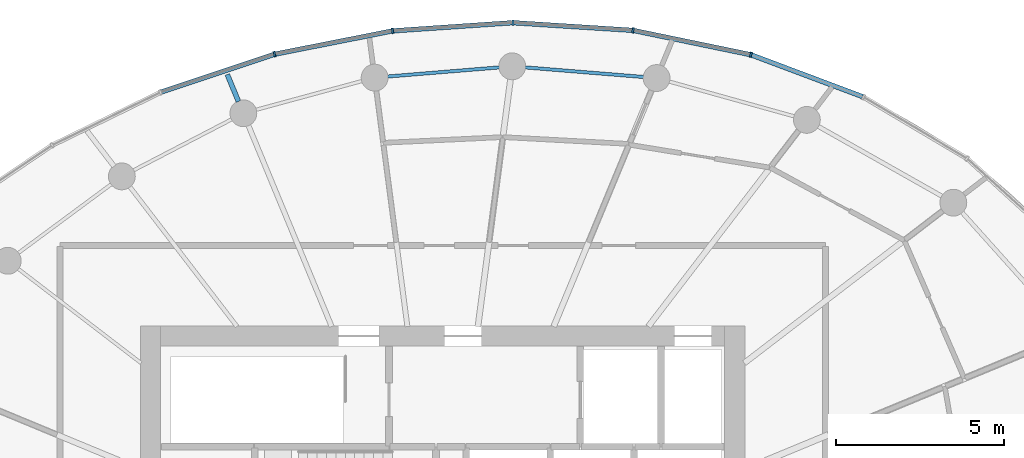
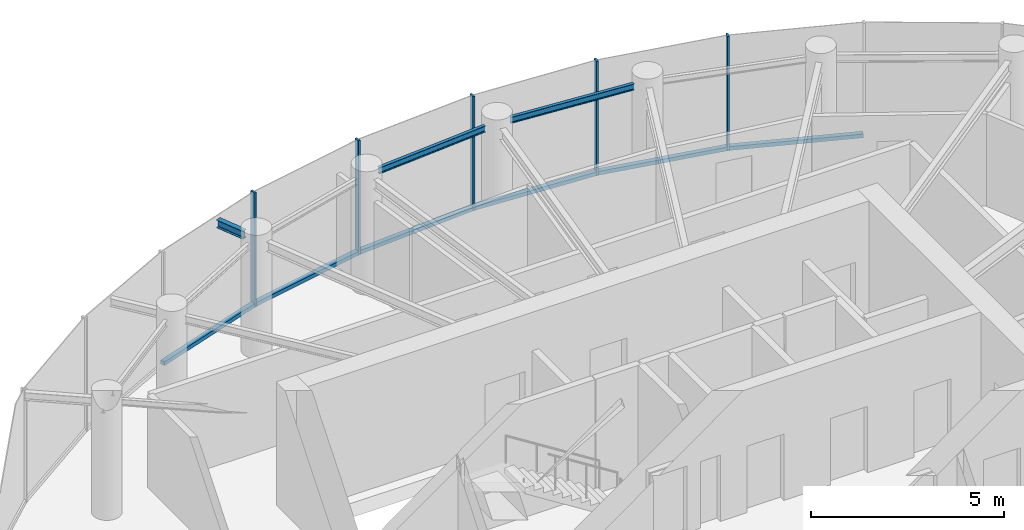
# One storey, part 6 of 13: 11 members, 3 beams, 2 elements without a shape of their own.
"""IFC4 building model written with IfcOpenShell, lengths in metres."""

from ifc_helpers import new_model, si_unit, direction, frame, origin, origin_2d, place, context, subcontext, project, spatial, rectangle, i_section, extrude, source, transform, mapped, material, layer, layer_set, material_profile, profile_set, type_object, element, aggregate, save


model = new_model("IFC4")

# Units and contexts
model_context = context("Model", 3, precision=1e-05, world=origin(), true_north=direction((0.0, 1.0)))
body_context = subcontext(model_context, "Body", "Model", "MODEL_VIEW")
ifc_project = project(units=[si_unit("LENGTHUNIT", "METRE"), si_unit("AREAUNIT", "SQUARE_METRE"), si_unit("VOLUMEUNIT", "CUBIC_METRE"), si_unit("PLANEANGLEUNIT", "RADIAN"), si_unit("MASSUNIT", "GRAM", prefix="KILO")], contexts=[model_context])

# Site, building, storey
site_placement = place(None, origin())
site = spatial("IfcSite", under=ifc_project, at=site_placement, CompositionType="ELEMENT")
building_placement = place(site_placement, origin())
building = spatial("IfcBuilding", under=site, at=building_placement, Name="Spindrift Exchange Tower", CompositionType="ELEMENT")
storey_placement = place(building_placement, frame((0.0, 0.0, 265.699951171875)))
storey = spatial("IfcBuildingStorey", under=building, at=storey_placement, Name="L65", CompositionType="ELEMENT", Elevation=265.699951171875)

# Beams
ifc_material_1 = material(Name="Steel Grade 300", Category="steel")
ifc_material_profile_1 = material_profile(ifc_material_1, i_section(OverallWidth=0.14599609375, OverallDepth=0.251953125, WebThickness=0.006103515625, FlangeThickness=0.008544921875, FilletRadius=0.011962890625, at=origin_2d()), Name="250UB31.4")
ifc_profile_set_1 = profile_set([ifc_material_profile_1], Name="Steel Grade 300")
beam_type_1 = type_object("IfcBeamType", Name="Cantilever Beam 250UB31.4 Steel Grade 300", PredefinedType="BEAM", material=ifc_profile_set_1)
shared_shape_1 = source(origin(), body_context, "Body", "SweptSolid", [
    extrude(i_section(OverallWidth=0.14599609375, OverallDepth=0.251953125, WebThickness=0.006103515625, FlangeThickness=0.008544921875, FilletRadius=0.011962890625, at=origin_2d()), origin(), (0.0, 0.0, 1.0), 0.86962890625),
])
beam_1_placement = place(storey_placement, frame((45.917236328125, 62.68505859375, 3.494140625), z_axis=(-0.382641058729, 0.923897083108, 0.0), x_axis=(-0.923897083108, -0.382641058729, 0.0)))
element("IfcBeam", 1, at=beam_1_placement, inside=storey, type_object=beam_type_1, Name="L65 cantilever beam R08T", PredefinedType="BEAM", context=body_context, shape_type="MappedRepresentation", body=[
    mapped(shared_shape_1, transform((0.0, 0.0, 0.0), scale=1.0)),
])
ifc_material_profile_2 = material_profile(ifc_material_1, i_section(OverallWidth=0.09912109375, OverallDepth=0.197998046875, WebThickness=0.00439453125, FlangeThickness=0.007080078125, FilletRadius=0.010986328125, at=origin_2d()), Name="200UB18.2")
ifc_profile_set_2 = profile_set([ifc_material_profile_2], Name="Steel Grade 300")
beam_type_2 = type_object("IfcBeamType", Name="Edge Beam 200UB18.2 Steel Grade 300", PredefinedType="SPANDREL", material=ifc_profile_set_2)
shared_shape_2 = source(origin(), body_context, "Body", "SweptSolid", [
    extrude(i_section(OverallWidth=0.09912109375, OverallDepth=0.197998046875, WebThickness=0.00439453125, FlangeThickness=0.007080078125, FilletRadius=0.010986328125, at=origin_2d()), origin(), (0.0, 0.0, 1.0), 3.5546875),
])
beam_2_placement = place(storey_placement, frame((57.992919921875, 63.413330078125, 3.52099609375), z_axis=(-0.996727103969, 0.080839842983, 0.0), x_axis=(-0.080839842983, -0.996727103969, 0.0)))
element("IfcBeam", 2, at=beam_2_placement, inside=storey, type_object=beam_type_2, Name="L65 edge beam E05", PredefinedType="SPANDREL", context=body_context, shape_type="MappedRepresentation", body=[
    mapped(shared_shape_2, transform((0.0, 0.0, 0.0), scale=1.0)),
])
shared_shape_3 = source(origin(), body_context, "Body", "SweptSolid", [
    extrude(i_section(OverallWidth=0.09912109375, OverallDepth=0.197998046875, WebThickness=0.00439453125, FlangeThickness=0.007080078125, FilletRadius=0.010986328125, at=origin_2d()), origin(), (0.0, 0.0, 1.0), 3.351806640625),
])
beam_3_placement = place(storey_placement, frame((53.6923828125, 63.7001953125, 3.52099609375), z_axis=(-0.996672670999, -0.081508201334, 0.0), x_axis=(0.081508201334, -0.996672670999, 0.0)))
element("IfcBeam", 3, at=beam_3_placement, inside=storey, type_object=beam_type_2, Name="L65 edge beam E06", PredefinedType="SPANDREL", context=body_context, shape_type="MappedRepresentation", body=[
    mapped(shared_shape_3, transform((0.0, 0.0, 0.0), scale=1.0)),
])

# Curtain wall, members
ifc_material_2 = material(Name="Fritted laminated glass with bronze frame", Category="glass")
ifc_layer = layer(ifc_material_2, 0.159912109375)
ifc_layer_set = layer_set([ifc_layer], Name="ZONE 5 BRONZE FRITTED WALL")
curtain_wall_type = type_object("IfcCurtainWallType", Name="ZONE 5 BRONZE FRITTED WALL", PredefinedType="NOTDEFINED", material=ifc_layer_set)
curtain_wall_1_placement = place(storey_placement, origin())
curtain_wall_1 = element("IfcCurtainWall", 4, at=curtain_wall_1_placement, inside=storey, type_object=curtain_wall_type, Name="L65 Zone 5 Bronze Fritted Wall run 2", PredefinedType="NOTDEFINED")
ifc_material_3 = material(Name="Bronze anodised aluminium", Category="aluminium")
ifc_material_profile_3 = material_profile(ifc_material_3, rectangle(XDim=0.139892578125, YDim=0.1201171875, at=origin_2d()), Name="ZONE 5 BRONZE FRITTED WALL TRANSOM 140X120")
ifc_profile_set_3 = profile_set([ifc_material_profile_3], Name="Bronze anodised aluminium")
member_type_1 = type_object("IfcMemberType", Name="ZONE 5 BRONZE FRITTED WALL TRANSOM 140X120", PredefinedType="USERDEFINED", material=ifc_profile_set_3)
shared_shape_4 = source(origin(), body_context, "Body", "SweptSolid", [
    extrude(rectangle(XDim=0.139892578125, YDim=0.1201171875, at=origin_2d()), origin(), (0.0, 0.0, 1.0), 3.52587890625),
])
member_1_placement = place(storey_placement, frame((57.637939453125, 64.805419921875, 0.06005859375), z_axis=(-0.997977783354, 0.063563699793, 0.0), x_axis=(-0.063563699793, -0.997977783354, 0.0)))
member_1 = element("IfcMember", 5, at=member_1_placement, type_object=member_type_1, Name="L65 transom CW-5.7", ObjectType="TRANSOM", PredefinedType="USERDEFINED", context=body_context, shape_type="MappedRepresentation", body=[
    mapped(shared_shape_4, transform((0.0, 0.0, 0.0), scale=1.0)),
])
shared_shape_5 = source(origin(), body_context, "Body", "SweptSolid", [
    extrude(rectangle(XDim=0.139892578125, YDim=0.1201171875, at=origin_2d()), origin(), (0.0, 0.0, 1.0), 3.5263671875),
])
member_2_placement = place(storey_placement, frame((50.481689453125, 64.7822265625, 0.06005859375), z_axis=(-0.9810439047, -0.193785595572, 0.0), x_axis=(0.193785595572, -0.9810439047, 0.0)))
member_2 = element("IfcMember", 6, at=member_2_placement, type_object=member_type_1, Name="L65 transom CW-5.9", ObjectType="TRANSOM", PredefinedType="USERDEFINED", context=body_context, shape_type="MappedRepresentation", body=[
    mapped(shared_shape_5, transform((0.0, 0.0, 0.0), scale=1.0)),
])
shared_shape_6 = source(origin(), body_context, "Body", "SweptSolid", [
    extrude(rectangle(XDim=0.139892578125, YDim=0.1201171875, at=origin_2d()), origin(), (0.0, 0.0, 1.0), 3.526123046875),
])
member_3_placement = place(storey_placement, frame((54.05908203125, 65.029296875, 0.06005859375), z_axis=(-0.997695424842, -0.067851597248, 0.0), x_axis=(0.067851597248, -0.997695424842, 0.0)))
member_3 = element("IfcMember", 7, at=member_3_placement, type_object=member_type_1, Name="L65 transom CW-5.8", ObjectType="TRANSOM", PredefinedType="USERDEFINED", context=body_context, shape_type="MappedRepresentation", body=[
    mapped(shared_shape_6, transform((0.0, 0.0, 0.0), scale=1.0)),
])
member_4_placement = place(storey_placement, frame((46.96435546875, 64.08349609375, 0.06005859375), z_axis=(-0.948530869173, -0.31668468581, 0.0), x_axis=(0.31668468581, -0.948530869173, 0.0)))
member_4 = element("IfcMember", 8, at=member_4_placement, type_object=member_type_1, Name="L65 transom CW-5.10", ObjectType="TRANSOM", PredefinedType="USERDEFINED", context=body_context, shape_type="MappedRepresentation", body=[
    mapped(shared_shape_6, transform((0.0, 0.0, 0.0), scale=1.0)),
])

curtain_wall_2_placement = place(storey_placement, origin())
curtain_wall_2 = element("IfcCurtainWall", 9, at=curtain_wall_2_placement, inside=storey, type_object=curtain_wall_type, Name="L65 Zone 5 Bronze Fritted Wall run 1", PredefinedType="NOTDEFINED")
shared_shape_7 = source(origin(), body_context, "Body", "SweptSolid", [
    extrude(rectangle(XDim=0.139892578125, YDim=0.1201171875, at=origin_2d()), origin(), (0.0, 0.0, 1.0), 3.525634765625),
])
member_5_placement = place(storey_placement, frame((61.149658203125, 64.083251953125, 0.06005859375), z_axis=(-0.979256629171, 0.202623923128, 0.0), x_axis=(-0.202623923128, -0.979256629171, 0.0)))
member_5 = element("IfcMember", 10, at=member_5_placement, type_object=member_type_1, Name="L65 transom CW-5.6", ObjectType="TRANSOM", PredefinedType="USERDEFINED", context=body_context, shape_type="MappedRepresentation", body=[
    mapped(shared_shape_7, transform((0.0, 0.0, 0.0), scale=1.0)),
])
shared_shape_8 = source(origin(), body_context, "Body", "SweptSolid", [
    extrude(rectangle(XDim=0.139892578125, YDim=0.1201171875, at=origin_2d()), origin(), (0.0, 0.0, 1.0), 3.52490234375),
])
member_6_placement = place(storey_placement, frame((64.507080078125, 62.828125, 0.06005859375), z_axis=(-0.936235211324, 0.351373916331, 0.0), x_axis=(-0.351373916331, -0.936235211324, 0.0)))
member_6 = element("IfcMember", 11, at=member_6_placement, type_object=member_type_1, Name="L65 transom CW-5.5", ObjectType="TRANSOM", PredefinedType="USERDEFINED", context=body_context, shape_type="MappedRepresentation", body=[
    mapped(shared_shape_8, transform((0.0, 0.0, 0.0), scale=1.0)),
])
ifc_material_profile_4 = material_profile(ifc_material_3, rectangle(XDim=0.06005859375, YDim=0.159912109375, at=origin_2d()), Name="ZONE 5 BRONZE FRITTED WALL MULLION 60X160")
ifc_profile_set_4 = profile_set([ifc_material_profile_4], Name="Bronze anodised aluminium")
member_type_2 = type_object("IfcMemberType", Name="ZONE 5 BRONZE FRITTED WALL MULLION 60X160", PredefinedType="MULLION", material=ifc_profile_set_4)
shared_shape_9 = source(origin(), body_context, "Body", "SweptSolid", [
    extrude(rectangle(XDim=0.06005859375, YDim=0.159912109375, at=origin_2d()), origin(), (0.0, 0.0, 1.0), 3.6201171875),
])
member_7_placement = place(storey_placement, frame((61.178955078125, 64.0771484375, 0.0), z_axis=(0.0, 0.0, 1.0), x_axis=(-0.960636763209, 0.277807503808, 0.0)))
member_7 = element("IfcMember", 12, at=member_7_placement, type_object=member_type_2, Name="L65 mullion CW-5.6", PredefinedType="MULLION", context=body_context, shape_type="MappedRepresentation", body=[
    mapped(shared_shape_9, transform((0.0, 0.0, 0.0), scale=1.0)),
])
aggregate(curtain_wall_2, [member_6, member_7, member_5])

# Member
member_8_placement = place(storey_placement, frame((57.66796875, 64.8037109375, 0.0), z_axis=(0.0, 0.0, 1.0), x_axis=(-0.991061943544, 0.133402488953, 0.0)))
member_8 = element("IfcMember", 13, at=member_8_placement, type_object=member_type_2, Name="L65 mullion CW-5.7", PredefinedType="MULLION", context=body_context, shape_type="MappedRepresentation", body=[
    mapped(shared_shape_9, transform((0.0, 0.0, 0.0), scale=1.0)),
])

member_9_placement = place(storey_placement, frame((54.089111328125, 65.031494140625, 0.0), z_axis=(0.0, 0.0, 1.0), x_axis=(-0.99999765909, -0.002163749901, 0.0)))
member_9 = element("IfcMember", 14, at=member_9_placement, type_object=member_type_2, Name="L65 mullion CW-5.8", PredefinedType="MULLION", context=body_context, shape_type="MappedRepresentation", body=[
    mapped(shared_shape_9, transform((0.0, 0.0, 0.0), scale=1.0)),
])

member_10_placement = place(storey_placement, frame((50.510986328125, 64.7880859375, 0.0), z_axis=(0.0, 0.0, 1.0), x_axis=(-0.991369642883, -0.131096266802, 0.0)))
member_10 = element("IfcMember", 15, at=member_10_placement, type_object=member_type_2, Name="L65 mullion CW-5.9", PredefinedType="MULLION", context=body_context, shape_type="MappedRepresentation", body=[
    mapped(shared_shape_9, transform((0.0, 0.0, 0.0), scale=1.0)),
])

member_11_placement = place(storey_placement, frame((46.992919921875, 64.093017578125, 0.0), z_axis=(0.0, 0.0, 1.0), x_axis=(-0.966741870637, -0.255754091966, 0.0)))
member_11 = element("IfcMember", 16, at=member_11_placement, type_object=member_type_2, Name="L65 mullion CW-5.10", PredefinedType="MULLION", context=body_context, shape_type="MappedRepresentation", body=[
    mapped(shared_shape_9, transform((0.0, 0.0, 0.0), scale=1.0)),
])

aggregate(curtain_wall_1, [member_8, member_1, member_9, member_3, member_10, member_2, member_11, member_4])

save(model, "model.ifc")
